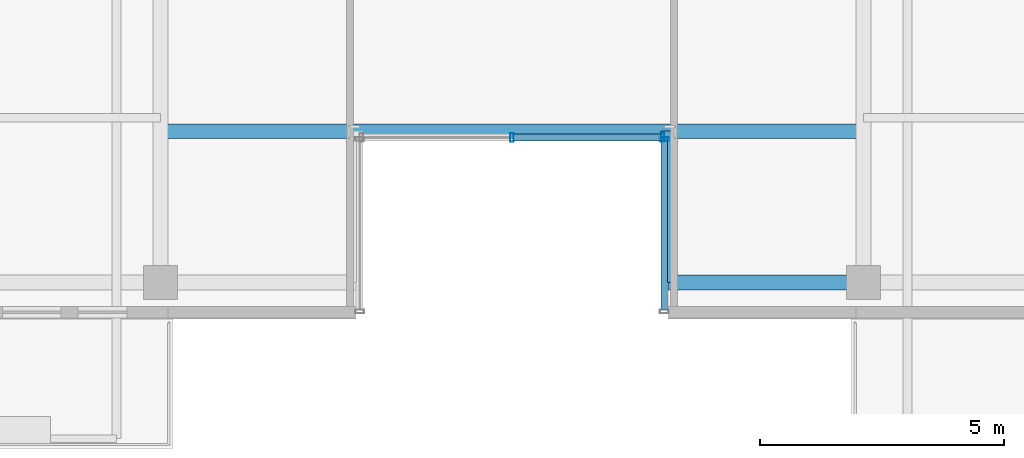
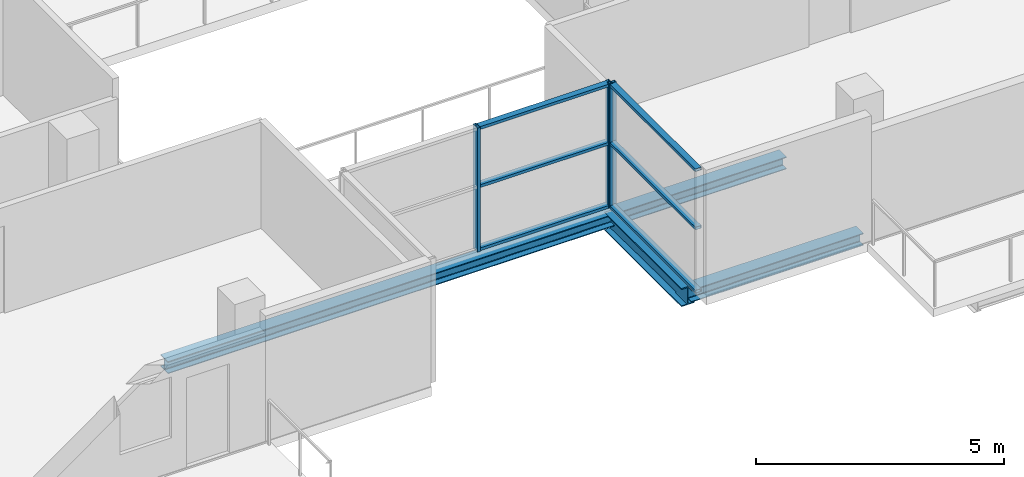
# One storey, part 4 of 22: 9 members, 3 beams, 2 elements without a shape of their own.
"""IFC4 building model written with IfcOpenShell, lengths in metres."""

from ifc_helpers import new_model, si_unit, direction, frame, origin, origin_2d, place, context, subcontext, project, spatial, hollow_rectangle, i_section, extrude, source, transform, mapped, material, layer, layer_set, material_profile, profile_set, type_object, element, aggregate, save


model = new_model("IFC4")

# Units and contexts
model_context = context("Model", 3, precision=1e-05, world=origin(), true_north=direction((0.0, 1.0)))
body_context = subcontext(model_context, "Body", "Model", "MODEL_VIEW")
ifc_project = project(units=[si_unit("LENGTHUNIT", "METRE"), si_unit("AREAUNIT", "SQUARE_METRE"), si_unit("VOLUMEUNIT", "CUBIC_METRE"), si_unit("PLANEANGLEUNIT", "RADIAN"), si_unit("MASSUNIT", "GRAM", prefix="KILO")], contexts=[model_context])

# Site, building, storey
site_placement = place(None, origin())
site = spatial("IfcSite", under=ifc_project, at=site_placement, CompositionType="ELEMENT")
building_placement = place(site_placement, origin())
building = spatial("IfcBuilding", under=site, at=building_placement, Name="Zarnakvel Exchange Tower", CompositionType="ELEMENT")
storey_placement = place(building_placement, frame((0.0, 0.0, 215.5)))
storey = spatial("IfcBuildingStorey", under=building, at=storey_placement, Name="L60", CompositionType="ELEMENT", Elevation=215.5)

# Beams
ifc_material_1 = material(Name="Steel S355", Category="steel")
ifc_material_profile_1 = material_profile(ifc_material_1, i_section(OverallWidth=0.300048828125, OverallDepth=0.449951171875, WebThickness=0.013916015625, FlangeThickness=0.02587890625, FilletRadius=0.027099609375, at=origin_2d()))
ifc_profile_set_1 = profile_set([ifc_material_profile_1], Name="Steel S355")
beam_type_1 = type_object("IfcBeamType", Name="G-07", PredefinedType="BEAM", material=ifc_profile_set_1)
beam_1_placement = place(storey_placement, frame((3.199951171875, -16.35009765625, -0.449951171875), z_axis=(0.0, 1.0, 0.0), x_axis=(-1.0, 0.0, 0.0)))
element("IfcBeam", 1, at=beam_1_placement, inside=storey, type_object=beam_type_1, Name="L60 South Slot East Cheek Beam", PredefinedType="BEAM", context=body_context, shape_type="SweptSolid", body=[
    extrude(i_section(OverallWidth=0.300048828125, OverallDepth=0.449951171875, WebThickness=0.013916015625, FlangeThickness=0.02587890625, FilletRadius=0.027099609375, at=origin_2d()), origin(), (0.0, 0.0, 1.0), 3.10009765625),
])
ifc_material_profile_2 = material_profile(ifc_material_1, i_section(OverallWidth=0.300048828125, OverallDepth=0.300048828125, WebThickness=0.010986328125, FlangeThickness=0.01904296875, FilletRadius=0.027099609375, at=origin_2d()))
ifc_profile_set_2 = profile_set([ifc_material_profile_2], Name="Steel S355")
beam_type_2 = type_object("IfcBeamType", Name="SP-03", PredefinedType="SPANDREL", material=ifc_profile_set_2)
beam_2_placement = place(storey_placement, frame((3.199951171875, -16.35009765625, -0.375), z_axis=(1.0, 0.0, 0.0), x_axis=(0.0, 1.0, 0.0)))
element("IfcBeam", 2, at=beam_2_placement, inside=storey, type_object=beam_type_2, Name="L60 South Slot East Jamb Spandrel", PredefinedType="SPANDREL", context=body_context, shape_type="SweptSolid", body=[
    extrude(i_section(OverallWidth=0.300048828125, OverallDepth=0.300048828125, WebThickness=0.010986328125, FlangeThickness=0.01904296875, FilletRadius=0.027099609375, at=origin_2d()), origin(), (0.0, 0.0, 1.0), 4.0),
])
beam_3_placement = place(storey_placement, frame((-7.199951171875, -13.25, -0.375), z_axis=(1.0, 0.0, 0.0), x_axis=(0.0, 1.0, 0.0)))
element("IfcBeam", 3, at=beam_3_placement, inside=storey, type_object=beam_type_2, Name="L60 South Slot Head Trimmer Girder", PredefinedType="SPANDREL", context=body_context, shape_type="SweptSolid", body=[
    extrude(i_section(OverallWidth=0.300048828125, OverallDepth=0.300048828125, WebThickness=0.010986328125, FlangeThickness=0.01904296875, FilletRadius=0.027099609375, at=origin_2d()), origin(), (0.0, 0.0, 1.0), 14.39990234375),
])

# Curtain wall, members
ifc_material_2 = material(Name="Architectural Bronze Anodised Aluminium", Category="aluminium")
ifc_layer = layer(ifc_material_2, 0.179931640625)
ifc_layer_set = layer_set([ifc_layer], Name="Architectural Bronze Anodised Aluminium")
curtain_wall_type = type_object("IfcCurtainWallType", Name="CW-05", PredefinedType="NOTDEFINED", material=ifc_layer_set)
curtain_wall_1_placement = place(storey_placement, origin())
curtain_wall_1 = element("IfcCurtainWall", 4, at=curtain_wall_1_placement, inside=storey, type_object=curtain_wall_type, Name="L60 Curtain Wall CW-L60-SLE (CW-05)", PredefinedType="NOTDEFINED")
ifc_material_profile_3 = material_profile(ifc_material_2, hollow_rectangle(XDim=0.139892578125, YDim=0.070068359375, WallThickness=0.00390625, at=origin_2d()))
ifc_profile_set_3 = profile_set([ifc_material_profile_3], Name="Architectural Bronze Anodised Aluminium")
member_type_1 = type_object("IfcMemberType", Name="CWT-05", PredefinedType="USERDEFINED", material=ifc_profile_set_3)
shared_shape_1 = source(origin(), body_context, "Body", "SweptSolid", [
    extrude(hollow_rectangle(XDim=0.139892578125, YDim=0.070068359375, WallThickness=0.00390625, at=origin_2d()), origin(), (0.0, 0.0, 1.0), 3.4599609375),
])
member_1_placement = place(storey_placement, frame((3.1201171875, -13.449951171875, 0.034912109375), z_axis=(0.0, -1.0, 0.0), x_axis=(1.0, 0.0, 0.0)))
member_1 = element("IfcMember", 5, at=member_1_placement, type_object=member_type_1, Name="CW-05 transom 1.1", ObjectType="TRANSOM", PredefinedType="USERDEFINED", context=body_context, shape_type="MappedRepresentation", body=[
    mapped(shared_shape_1, transform((0.0, 0.0, 0.0), x_axis=(1.0, 0.0, 0.0), y_axis=(0.0, 1.0, 0.0), z_axis=(0.0, 0.0, 1.0), scale=1.0)),
])
member_2_placement = place(storey_placement, frame((3.1201171875, -13.449951171875, 1.588623046875), z_axis=(0.0, -1.0, 0.0), x_axis=(1.0, 0.0, 0.0)))
member_2 = element("IfcMember", 6, at=member_2_placement, type_object=member_type_1, Name="CW-05 transom 1.2", ObjectType="TRANSOM", PredefinedType="USERDEFINED", context=body_context, shape_type="MappedRepresentation", body=[
    mapped(shared_shape_1, transform((0.0, 0.0, 0.0), x_axis=(1.0, 0.0, 0.0), y_axis=(0.0, 1.0, 0.0), z_axis=(0.0, 0.0, 1.0), scale=1.0)),
])
member_3_placement = place(storey_placement, frame((3.1201171875, -13.449951171875, 3.02001953125), z_axis=(0.0, -1.0, 0.0), x_axis=(1.0, 0.0, 0.0)))
member_3 = element("IfcMember", 7, at=member_3_placement, type_object=member_type_1, Name="CW-05 transom 1.3", ObjectType="TRANSOM", PredefinedType="USERDEFINED", context=body_context, shape_type="MappedRepresentation", body=[
    mapped(shared_shape_1, transform((0.0, 0.0, 0.0), x_axis=(1.0, 0.0, 0.0), y_axis=(0.0, 1.0, 0.0), z_axis=(0.0, 0.0, 1.0), scale=1.0)),
])

curtain_wall_2_placement = place(storey_placement, origin())
curtain_wall_2 = element("IfcCurtainWall", 8, at=curtain_wall_2_placement, inside=storey, type_object=curtain_wall_type, Name="L60 Curtain Wall CW-L60-SLB (CW-05)", PredefinedType="NOTDEFINED")
shared_shape_2 = source(origin(), body_context, "Body", "SweptSolid", [
    extrude(hollow_rectangle(XDim=0.139892578125, YDim=0.070068359375, WallThickness=0.00390625, at=origin_2d()), origin(), (0.0, 0.0, 1.0), 3.01513671875),
])
member_4_placement = place(storey_placement, frame((0.034912109375, -13.3798828125, 0.034912109375), z_axis=(1.0, 0.0, 0.0), x_axis=(0.0, 1.0, 0.0)))
member_4 = element("IfcMember", 9, at=member_4_placement, type_object=member_type_1, Name="CW-05 transom 2.1", ObjectType="TRANSOM", PredefinedType="USERDEFINED", context=body_context, shape_type="MappedRepresentation", body=[
    mapped(shared_shape_2, transform((0.0, 0.0, 0.0), x_axis=(1.0, 0.0, 0.0), y_axis=(0.0, 1.0, 0.0), z_axis=(0.0, 0.0, 1.0), scale=1.0)),
])
member_5_placement = place(storey_placement, frame((0.034912109375, -13.3798828125, 1.588623046875), z_axis=(1.0, 0.0, 0.0), x_axis=(0.0, 1.0, 0.0)))
member_5 = element("IfcMember", 10, at=member_5_placement, type_object=member_type_1, Name="CW-05 transom 2.2", ObjectType="TRANSOM", PredefinedType="USERDEFINED", context=body_context, shape_type="MappedRepresentation", body=[
    mapped(shared_shape_2, transform((0.0, 0.0, 0.0), x_axis=(1.0, 0.0, 0.0), y_axis=(0.0, 1.0, 0.0), z_axis=(0.0, 0.0, 1.0), scale=1.0)),
])
member_6_placement = place(storey_placement, frame((0.034912109375, -13.3798828125, 3.02001953125), z_axis=(1.0, 0.0, 0.0), x_axis=(0.0, 1.0, 0.0)))
member_6 = element("IfcMember", 11, at=member_6_placement, type_object=member_type_1, Name="CW-05 transom 2.3", ObjectType="TRANSOM", PredefinedType="USERDEFINED", context=body_context, shape_type="MappedRepresentation", body=[
    mapped(shared_shape_2, transform((0.0, 0.0, 0.0), x_axis=(1.0, 0.0, 0.0), y_axis=(0.0, 1.0, 0.0), z_axis=(0.0, 0.0, 1.0), scale=1.0)),
])
ifc_material_profile_4 = material_profile(ifc_material_2, hollow_rectangle(XDim=0.179931640625, YDim=0.070068359375, WallThickness=0.00390625, at=origin_2d()))
ifc_profile_set_4 = profile_set([ifc_material_profile_4], Name="Architectural Bronze Anodised Aluminium")
member_type_2 = type_object("IfcMemberType", Name="CWM-05", PredefinedType="MULLION", material=ifc_profile_set_4)
shared_shape_3 = source(origin(), body_context, "Body", "SweptSolid", [
    extrude(hollow_rectangle(XDim=0.179931640625, YDim=0.070068359375, WallThickness=0.00390625, at=origin_2d()), origin(), (0.0, 0.0, 1.0), 3.054931640625),
])
member_7_placement = place(storey_placement, frame((0.0, -13.3798828125, 0.0), z_axis=(0.0, 0.0, 1.0), x_axis=(0.0, 1.0, 0.0)))
member_7 = element("IfcMember", 12, at=member_7_placement, type_object=member_type_2, Name="CW-05 mullion 2", PredefinedType="MULLION", context=body_context, shape_type="MappedRepresentation", body=[
    mapped(shared_shape_3, transform((0.0, 0.0, 0.0), x_axis=(1.0, 0.0, 0.0), y_axis=(0.0, 1.0, 0.0), z_axis=(0.0, 0.0, 1.0), scale=1.0)),
])
member_8_placement = place(storey_placement, frame((3.0849609375, -13.3798828125, 0.0), z_axis=(0.0, 0.0, 1.0), x_axis=(0.0, 1.0, 0.0)))
member_8 = element("IfcMember", 13, at=member_8_placement, type_object=member_type_2, Name="CW-05 mullion 3", PredefinedType="MULLION", context=body_context, shape_type="MappedRepresentation", body=[
    mapped(shared_shape_3, transform((0.0, 0.0, 0.0), x_axis=(1.0, 0.0, 0.0), y_axis=(0.0, 1.0, 0.0), z_axis=(0.0, 0.0, 1.0), scale=1.0)),
])
aggregate(curtain_wall_2, [member_7, member_8, member_4, member_5, member_6])

# Member
member_9_placement = place(storey_placement, frame((3.1201171875, -13.4150390625, 0.0), z_axis=(0.0, 0.0, 1.0), x_axis=(1.0, 0.0, 0.0)))
member_9 = element("IfcMember", 14, at=member_9_placement, type_object=member_type_2, Name="CW-05 mullion 1", PredefinedType="MULLION", context=body_context, shape_type="MappedRepresentation", body=[
    mapped(shared_shape_3, transform((0.0, 0.0, 0.0), x_axis=(1.0, 0.0, 0.0), y_axis=(0.0, 1.0, 0.0), z_axis=(0.0, 0.0, 1.0), scale=1.0)),
])

aggregate(curtain_wall_1, [member_9, member_1, member_2, member_3])

save(model, "model.ifc")
